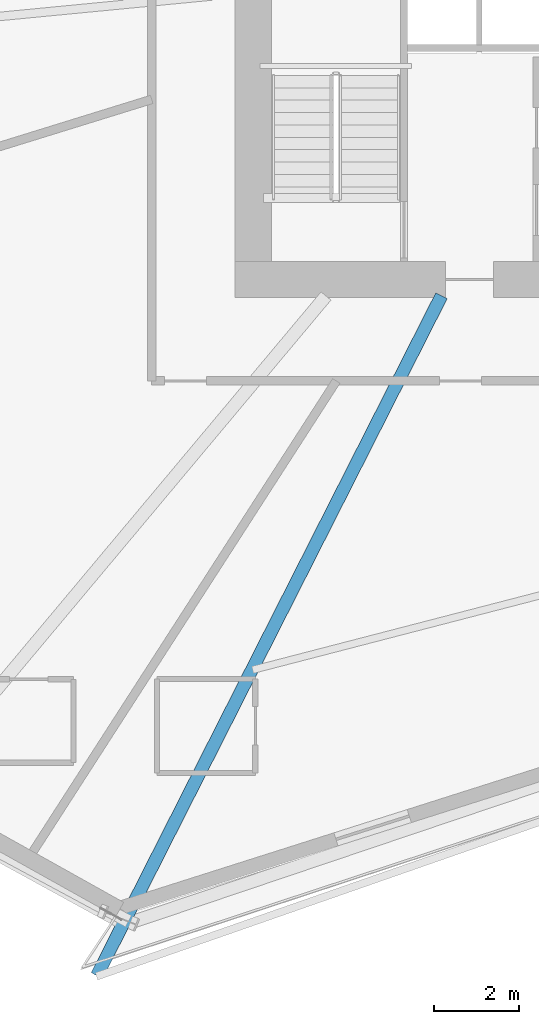
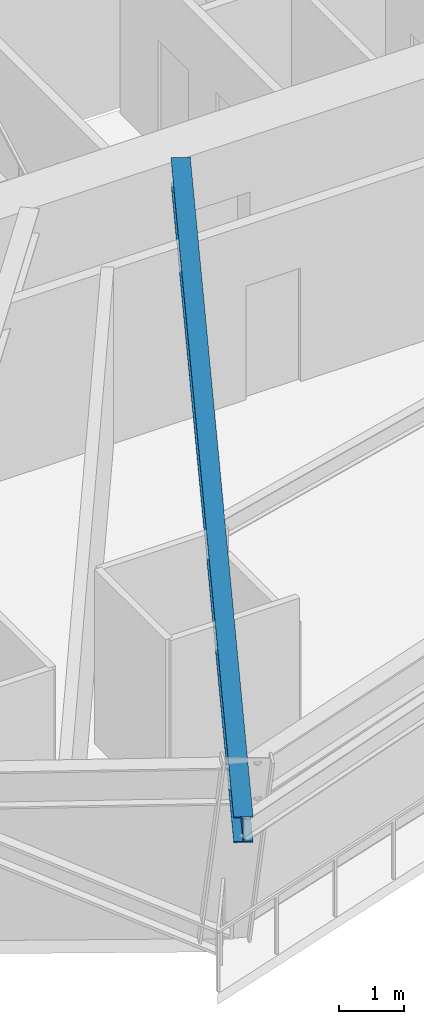
# One storey, part 3 of 21: 1 beam.
"""IFC4 building model written with IfcOpenShell, lengths in metres."""

from ifc_helpers import new_model, si_unit, direction, frame, origin, origin_2d, place, context, subcontext, project, spatial, i_section, extrude, source, transform, mapped, material, material_profile, profile_set, type_object, element, save


model = new_model("IFC4")

# Units and contexts
model_context = context("Model", 3, precision=1e-05, world=origin(), true_north=direction((0.0, 1.0)))
body_context = subcontext(model_context, "Body", "Model", "MODEL_VIEW")
ifc_project = project(units=[si_unit("LENGTHUNIT", "METRE"), si_unit("AREAUNIT", "SQUARE_METRE"), si_unit("VOLUMEUNIT", "CUBIC_METRE"), si_unit("PLANEANGLEUNIT", "RADIAN"), si_unit("MASSUNIT", "GRAM", prefix="KILO")], contexts=[model_context])

# Site, building, storey
site_placement = place(None, origin())
site = spatial("IfcSite", under=ifc_project, at=site_placement, CompositionType="ELEMENT")
building_placement = place(site_placement, origin())
building = spatial("IfcBuilding", under=site, at=building_placement, Name="Olszyna Solenne Hotel", CompositionType="ELEMENT")
storey_placement = place(building_placement, frame((0.0, 0.0, 54.14990234375)))
storey = spatial("IfcBuildingStorey", under=building, at=storey_placement, Name="L13", CompositionType="ELEMENT", Elevation=54.14990234375)

# Beam
ifc_material = material(Name="Steel S355J2", Category="steel")
ifc_material_profile = material_profile(ifc_material, i_section(OverallWidth=0.300048828125, OverallDepth=0.489990234375, WebThickness=0.011962890625, FlangeThickness=0.02294921875, at=origin_2d()), Name="HEA 500", Category="load-bearing")
ifc_profile_set = profile_set([ifc_material_profile], Name="Steel S355J2")
beam_type = type_object("IfcBeamType", Name="BM-G1", PredefinedType="BEAM", material=ifc_profile_set)
shared_shape = source(origin(), body_context, "Body", "SweptSolid", [
    extrude(i_section(OverallWidth=0.300048828125, OverallDepth=0.489990234375, WebThickness=0.011962890625, FlangeThickness=0.02294921875, at=origin_2d()), origin(), (0.0, 0.0, 1.0), 17.835205078125),
])
beam_placement = place(storey_placement, frame((26.0185546875, 2.7861328125, 3.05517578125), z_axis=(0.452058321352, 0.891988382265, 0.0), x_axis=(-0.891988382265, 0.452058321352, 0.0)))
element("IfcBeam", 1, at=beam_placement, inside=storey, type_object=beam_type, Name="Radial floor girder BM-G1 B-L13-0425", PredefinedType="BEAM", context=body_context, shape_type="MappedRepresentation", body=[
    mapped(shared_shape, transform((0.0, 0.0, 0.0), x_axis=(1.0, 0.0, 0.0), y_axis=(0.0, 1.0, 0.0), z_axis=(0.0, 0.0, 1.0), scale=1.0)),
])

save(model, "model.ifc")
